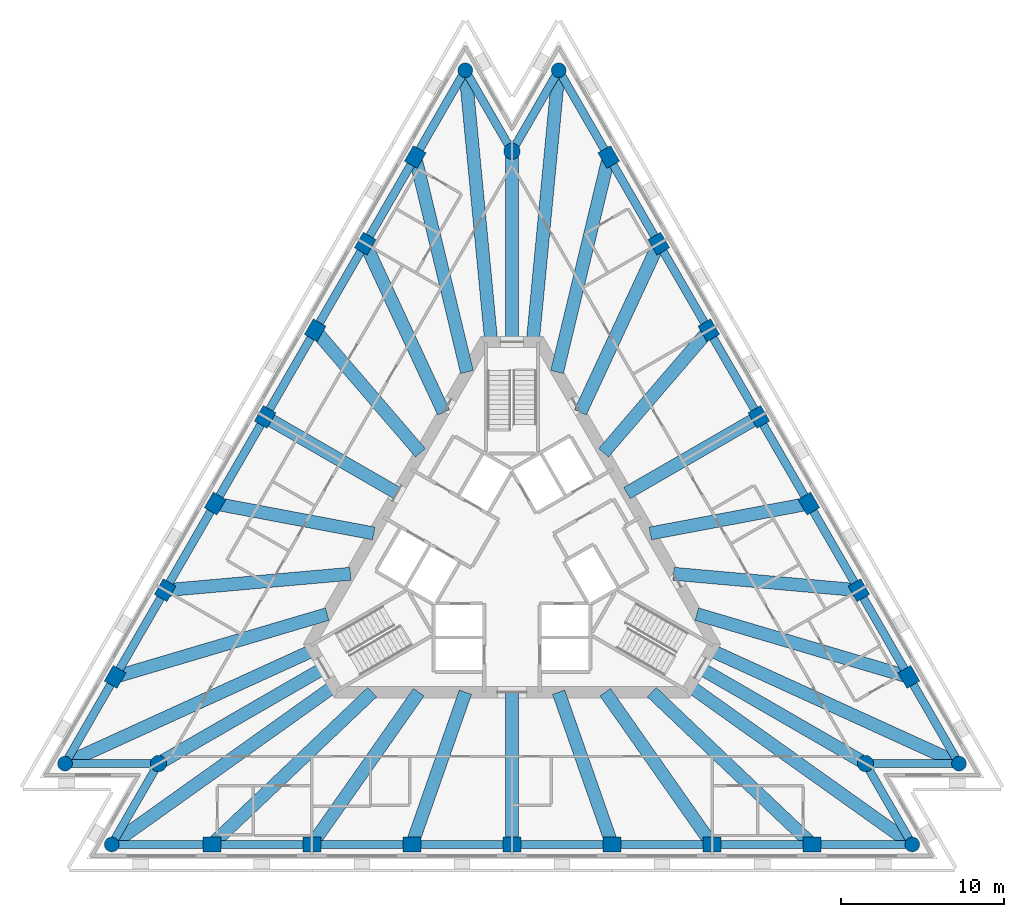
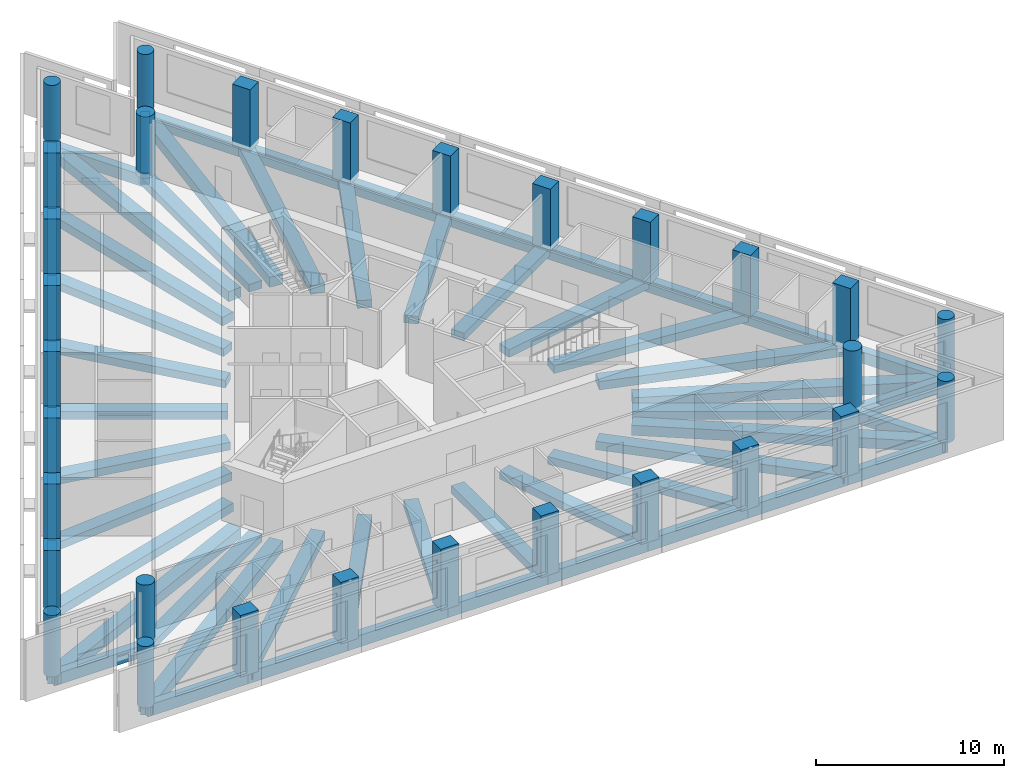
# One storey, part 1 of 9: 60 beams, 30 columns.
"""IFC4 building model written with IfcOpenShell, lengths in metres."""

from ifc_helpers import new_model, si_unit, direction, frame, origin, origin_2d, place, context, subcontext, project, spatial, rectangle, circle, extrude, material, material_profile, profile_set, type_object, element, save


model = new_model("IFC4")

# Units and contexts
model_context = context("Model", 3, precision=1e-05, world=origin(), true_north=direction((0.0, 1.0)))
body_context = subcontext(model_context, "Body", "Model", "MODEL_VIEW")
ifc_project = project(units=[si_unit("LENGTHUNIT", "METRE"), si_unit("AREAUNIT", "SQUARE_METRE"), si_unit("VOLUMEUNIT", "CUBIC_METRE"), si_unit("PLANEANGLEUNIT", "RADIAN"), si_unit("MASSUNIT", "GRAM", prefix="KILO")], contexts=[model_context])

# Site, building, storey
site_placement = place(None, origin())
site = spatial("IfcSite", under=ifc_project, at=site_placement, CompositionType="ELEMENT")
building_placement = place(site_placement, origin())
building = spatial("IfcBuilding", under=site, at=building_placement, Name="Triada Interchange Tower", CompositionType="ELEMENT")
storey_placement = place(building_placement, frame((0.0, 0.0, 207.300048828125)))
storey = spatial("IfcBuildingStorey", under=building, at=storey_placement, Name="L48", CompositionType="ELEMENT", Elevation=207.300048828125)

# Columns
ifc_material = material(Name="Concrete C50/60", Category="concrete")
ifc_material_profile_1 = material_profile(ifc_material, rectangle(XDim=1.10009765625, YDim=0.89990234375, at=origin_2d()), Name="RC 1100x900")
ifc_profile_set_1 = profile_set([ifc_material_profile_1], Name="Concrete C50/60")
column_type_1 = type_object("IfcColumnType", Name="Column C face RC 1100x900", PredefinedType="COLUMN", material=ifc_profile_set_1)
for number, where, z_axis, x_axis, name in (
    (1, (-5.94091796875, 24.714111328125, -0.300048828125), (0.0, 0.0, 1.0), (0.5, 0.866025403784, 0.0), "Column CC02 L48"),
    (2, (-9.012939453125, 19.39306640625, -0.300048828125), (0.0, 0.0, 1.0), (0.5, 0.866025403784, 0.0), "Column CC03 L48"),
    (3, (-12.0849609375, 14.072021484375, -0.300048828125), (0.0, 0.0, 1.0), (0.5, 0.866025403784, 0.0), "Column CC04 L48"),
    (4, (-15.157958984375, 8.7509765625, -0.300048828125), (0.0, 0.0, 1.0), (0.5, 0.866025403784, 0.0), "Column CC05 L48"),
    (5, (-18.22998046875, 3.429931640625, -0.300048828125), (0.0, 0.0, 1.0), (0.5, 0.866025403784, 0.0), "Column CC06 L48"),
    (6, (-21.302001953125, -1.89111328125, -0.300048828125), (0.0, 0.0, 1.0), (0.5, 0.866025403784, 0.0), "Column CC07 L48"),
    (7, (-24.3740234375, -7.2119140625, -0.300048828125), (0.0, 0.0, 1.0), (0.5, 0.866025403784, 0.0), "Column CC08 L48"),
    (8, (-18.43310546875, -17.501953125, -0.300048828125), (0.0, 0.0, 1.0), (1.0, 0.0, 0.0), "Column CC11 L48"),
    (9, (-12.2880859375, -17.501953125, -0.300048828125), (0.0, 0.0, 1.0), (1.0, 0.0, 0.0), "Column CC12 L48"),
    (10, (-6.14404296875, -17.501953125, -0.300048828125), (0.0, 0.0, 1.0), (1.0, 0.0, 0.0), "Column CC13 L48"),
    (11, (0.0, -17.501953125, -0.300048828125), (0.0, 0.0, 1.0), (1.0, 0.0, 0.0), "Column CC14 L48"),
    (12, (6.14404296875, -17.501953125, -0.300048828125), (0.0, 0.0, 1.0), (1.0, 0.0, 0.0), "Column CC15 L48"),
    (13, (12.2890625, -17.501953125, -0.300048828125), (0.0, 0.0, 1.0), (1.0, 0.0, 0.0), "Column CC16 L48"),
    (14, (18.43310546875, -17.501953125, -0.300048828125), (0.0, 0.0, 1.0), (1.0, 0.0, 0.0), "Column CC17 L48"),
    (15, (24.3740234375, -7.2119140625, -0.300048828125), (0.0, 0.0, 1.0), (-0.5, 0.866025403784, 0.0), "Column CC20 L48"),
    (16, (21.302001953125, -1.89111328125, -0.300048828125), (0.0, 0.0, 1.0), (-0.5, 0.866025403784, 0.0), "Column CC21 L48"),
    (17, (18.22998046875, 3.429931640625, -0.300048828125), (0.0, 0.0, 1.0), (-0.5, 0.866025403784, 0.0), "Column CC22 L48"),
    (18, (15.157958984375, 8.7509765625, -0.300048828125), (0.0, 0.0, 1.0), (-0.5, 0.866025403784, 0.0), "Column CC23 L48"),
    (19, (12.0849609375, 14.072021484375, -0.300048828125), (0.0, 0.0, 1.0), (-0.5, 0.866025403784, 0.0), "Column CC24 L48"),
    (20, (9.012939453125, 19.39306640625, -0.300048828125), (0.0, 0.0, 1.0), (-0.5, 0.866025403784, 0.0), "Column CC25 L48"),
    (21, (5.94091796875, 24.714111328125, -0.300048828125), (0.0, 0.0, 1.0), (-0.5, 0.866025403784, 0.0), "Column CC26 L48"),
):
    element("IfcColumn", number, at=place(storey_placement, frame(where, z_axis=z_axis, x_axis=x_axis)), inside=storey, type_object=column_type_1, Name=name, PredefinedType="COLUMN", context=body_context, shape_type="SweptSolid", body=[
        extrude(rectangle(XDim=1.10009765625, YDim=0.89990234375, at=origin_2d()), origin(), (0.0, 0.0, 1.0), 4.0),
    ])
ifc_material_profile_2 = material_profile(ifc_material, circle(Radius=0.449951171875, at=origin_2d()), Name="RC D900")
ifc_profile_set_2 = profile_set([ifc_material_profile_2], Name="Concrete C50/60")
column_type_2 = type_object("IfcColumnType", Name="End column C RC D900", PredefinedType="COLUMN", material=ifc_profile_set_2)
for number, where, z_axis, x_axis, name in (
    (22, (-2.868896484375, 30.034912109375, -0.300048828125), (0.0, 0.0, 1.0), (0.5, 0.866025403784, 0.0), "Column CC01 L48"),
    (23, (-27.446044921875, -12.532958984375, -0.300048828125), (0.0, 0.0, 1.0), (0.5, 0.866025403784, 0.0), "Column CC09 L48"),
    (24, (-24.576904296875, -17.501953125, -0.300048828125), (0.0, 0.0, 1.0), (1.0, 0.0, 0.0), "Column CC10 L48"),
    (25, (24.576904296875, -17.501953125, -0.300048828125), (0.0, 0.0, 1.0), (1.0, 0.0, 0.0), "Column CC18 L48"),
    (26, (27.446044921875, -12.532958984375, -0.300048828125), (0.0, 0.0, 1.0), (-0.5, 0.866025403784, 0.0), "Column CC19 L48"),
    (27, (2.868896484375, 30.034912109375, -0.300048828125), (0.0, 0.0, 1.0), (-0.5, 0.866025403784, 0.0), "Column CC27 L48"),
):
    element("IfcColumn", number, at=place(storey_placement, frame(where, z_axis=z_axis, x_axis=x_axis)), inside=storey, type_object=column_type_2, Name=name, PredefinedType="COLUMN", context=body_context, shape_type="SweptSolid", body=[
        extrude(circle(Radius=0.449951171875, at=origin_2d()), origin(), (0.0, 0.0, 1.0), 4.0),
    ])
ifc_material_profile_3 = material_profile(ifc_material, circle(Radius=0.5, at=origin_2d()), Name="RC D1000")
ifc_profile_set_3 = profile_set([ifc_material_profile_3], Name="Concrete C50/60")
column_type_3 = type_object("IfcColumnType", Name="Mega column C RC D1000", PredefinedType="COLUMN", material=ifc_profile_set_3)
for number, where, z_axis, x_axis, name in (
    (28, (0.0, 25.06689453125, -0.300048828125), (0.0, 0.0, 1.0), (1.0, 0.0, 0.0), "Column MC1 L48"),
    (29, (-21.7080078125, -12.532958984375, -0.300048828125), (0.0, 0.0, 1.0), (1.0, 0.0, 0.0), "Column MC2 L48"),
    (30, (21.7080078125, -12.532958984375, -0.300048828125), (0.0, 0.0, 1.0), (1.0, 0.0, 0.0), "Column MC3 L48"),
):
    element("IfcColumn", number, at=place(storey_placement, frame(where, z_axis=z_axis, x_axis=x_axis)), inside=storey, type_object=column_type_3, Name=name, PredefinedType="COLUMN", context=body_context, shape_type="SweptSolid", body=[
        extrude(circle(Radius=0.5, at=origin_2d()), origin(), (0.0, 0.0, 1.0), 4.0),
    ])

# Beams
ifc_material_profile_4 = material_profile(ifc_material, rectangle(XDim=0.800048828125, YDim=0.5, at=origin_2d()), Name="RC 800x500")
ifc_profile_set_4 = profile_set([ifc_material_profile_4], Name="Concrete C50/60")
beam_type_1 = type_object("IfcBeamType", Name="Radial band beam C RC 800x500", PredefinedType="BEAM", material=ifc_profile_set_4)
beam_1_placement = place(storey_placement, frame((-9.012939453125, 19.39306640625, -0.550048828125), z_axis=(0.421435804437, -0.906858237399, 0.0), x_axis=(0.906858237399, 0.421435804437, 0.0)))
element("IfcBeam", 31, at=beam_1_placement, inside=storey, type_object=beam_type_1, Name="Radial band beam BC03 L48", PredefinedType="BEAM", context=body_context, shape_type="SweptSolid", body=[
    extrude(rectangle(XDim=0.800048828125, YDim=0.5, at=origin_2d()), origin(), (0.0, 0.0, 1.0), 11.427490234375),
])
beam_2_placement = place(storey_placement, frame((-12.0849609375, 14.072021484375, -0.550048828125), z_axis=(0.651553753788, -0.758602468969, 0.0), x_axis=(0.758602468969, 0.651553753788, 0.0)))
element("IfcBeam", 32, at=beam_2_placement, inside=storey, type_object=beam_type_1, Name="Radial band beam BC04 L48", PredefinedType="BEAM", context=body_context, shape_type="SweptSolid", body=[
    extrude(rectangle(XDim=0.800048828125, YDim=0.5, at=origin_2d()), origin(), (0.0, 0.0, 1.0), 9.91162109375),
])
beam_3_placement = place(storey_placement, frame((-15.157958984375, 8.7509765625, -0.550048828125), z_axis=(0.866045182482, -0.499965740726, 0.0), x_axis=(0.499965740726, 0.866045182482, 0.0)))
element("IfcBeam", 33, at=beam_3_placement, inside=storey, type_object=beam_type_1, Name="Radial band beam BC05 L48", PredefinedType="BEAM", context=body_context, shape_type="SweptSolid", body=[
    extrude(rectangle(XDim=0.800048828125, YDim=0.5, at=origin_2d()), origin(), (0.0, 0.0, 1.0), 9.352783203125),
])
beam_4_placement = place(storey_placement, frame((-18.22998046875, 3.429931640625, -0.550048828125), z_axis=(0.982751797305, -0.184929459239, 0.0), x_axis=(0.184929459239, 0.982751797305, 0.0)))
element("IfcBeam", 34, at=beam_4_placement, inside=storey, type_object=beam_type_1, Name="Radial band beam BC06 L48", PredefinedType="BEAM", context=body_context, shape_type="SweptSolid", body=[
    extrude(rectangle(XDim=0.800048828125, YDim=0.5, at=origin_2d()), origin(), (0.0, 0.0, 1.0), 9.911865234375),
])
beam_5_placement = place(storey_placement, frame((-21.302001953125, -1.89111328125, -0.550048828125), z_axis=(0.996086654395, 0.088381994407, 0.0), x_axis=(-0.088381994407, 0.996086654395, 0.0)))
element("IfcBeam", 35, at=beam_5_placement, inside=storey, type_object=beam_type_1, Name="Radial band beam BC07 L48", PredefinedType="BEAM", context=body_context, shape_type="SweptSolid", body=[
    extrude(rectangle(XDim=0.800048828125, YDim=0.5, at=origin_2d()), origin(), (0.0, 0.0, 1.0), 11.427734375),
])
beam_6_placement = place(storey_placement, frame((-21.7080078125, -12.532958984375, -0.550048828125), z_axis=(0.866021094919, 0.500007463099, 0.0), x_axis=(-0.500007463099, 0.866021094919, 0.0)))
element("IfcBeam", 36, at=beam_6_placement, inside=storey, type_object=beam_type_1, Name="Radial band beam BC10 L48", PredefinedType="BEAM", context=body_context, shape_type="SweptSolid", body=[
    extrude(rectangle(XDim=0.800048828125, YDim=0.5, at=origin_2d()), origin(), (0.0, 0.0, 1.0), 11.715576171875),
])
beam_7_placement = place(storey_placement, frame((-12.2880859375, -17.501953125, -0.550048828125), z_axis=(0.574620373641, 0.818420079297, 0.0), x_axis=(-0.818420079297, 0.574620373641, 0.0)))
element("IfcBeam", 37, at=beam_7_placement, inside=storey, type_object=beam_type_1, Name="Radial band beam BC13 L48", PredefinedType="BEAM", context=body_context, shape_type="SweptSolid", body=[
    extrude(rectangle(XDim=0.800048828125, YDim=0.5, at=origin_2d()), origin(), (0.0, 0.0, 1.0), 11.427001953125),
])
beam_8_placement = place(storey_placement, frame((-6.14404296875, -17.501953125, -0.550048828125), z_axis=(0.331225841465, 0.94355150466, 0.0), x_axis=(-0.94355150466, 0.331225841465, 0.0)))
element("IfcBeam", 38, at=beam_8_placement, inside=storey, type_object=beam_type_1, Name="Radial band beam BC14 L48", PredefinedType="BEAM", context=body_context, shape_type="SweptSolid", body=[
    extrude(rectangle(XDim=0.800048828125, YDim=0.5, at=origin_2d()), origin(), (0.0, 0.0, 1.0), 9.91162109375),
])
beam_9_placement = place(storey_placement, frame((0.0, -17.501953125, -0.550048828125), z_axis=(0.0, 1.0, 0.0), x_axis=(-1.0, 0.0, 0.0)))
element("IfcBeam", 39, at=beam_9_placement, inside=storey, type_object=beam_type_1, Name="Radial band beam BC15 L48", PredefinedType="BEAM", context=body_context, shape_type="SweptSolid", body=[
    extrude(rectangle(XDim=0.800048828125, YDim=0.5, at=origin_2d()), origin(), (0.0, 0.0, 1.0), 9.35205078125),
])
beam_10_placement = place(storey_placement, frame((6.14404296875, -17.501953125, -0.550048828125), z_axis=(-0.331225841465, 0.94355150466, 0.0), x_axis=(-0.94355150466, -0.331225841465, 0.0)))
element("IfcBeam", 40, at=beam_10_placement, inside=storey, type_object=beam_type_1, Name="Radial band beam BC16 L48", PredefinedType="BEAM", context=body_context, shape_type="SweptSolid", body=[
    extrude(rectangle(XDim=0.800048828125, YDim=0.5, at=origin_2d()), origin(), (0.0, 0.0, 1.0), 9.91162109375),
])
beam_11_placement = place(storey_placement, frame((12.2890625, -17.501953125, -0.550048828125), z_axis=(-0.574620373641, 0.818420079297, 0.0), x_axis=(-0.818420079297, -0.574620373641, 0.0)))
element("IfcBeam", 41, at=beam_11_placement, inside=storey, type_object=beam_type_1, Name="Radial band beam BC17 L48", PredefinedType="BEAM", context=body_context, shape_type="SweptSolid", body=[
    extrude(rectangle(XDim=0.800048828125, YDim=0.5, at=origin_2d()), origin(), (0.0, 0.0, 1.0), 11.427001953125),
])
beam_12_placement = place(storey_placement, frame((21.7080078125, -12.532958984375, -0.550048828125), z_axis=(-0.866021094919, 0.500007463099, 0.0), x_axis=(-0.500007463099, -0.866021094919, 0.0)))
element("IfcBeam", 42, at=beam_12_placement, inside=storey, type_object=beam_type_1, Name="Radial band beam BC20 L48", PredefinedType="BEAM", context=body_context, shape_type="SweptSolid", body=[
    extrude(rectangle(XDim=0.800048828125, YDim=0.5, at=origin_2d()), origin(), (0.0, 0.0, 1.0), 11.715576171875),
])
beam_13_placement = place(storey_placement, frame((21.302001953125, -1.89111328125, -0.550048828125), z_axis=(-0.996086654395, 0.088381994407, 0.0), x_axis=(-0.088381994407, -0.996086654395, 0.0)))
element("IfcBeam", 43, at=beam_13_placement, inside=storey, type_object=beam_type_1, Name="Radial band beam BC23 L48", PredefinedType="BEAM", context=body_context, shape_type="SweptSolid", body=[
    extrude(rectangle(XDim=0.800048828125, YDim=0.5, at=origin_2d()), origin(), (0.0, 0.0, 1.0), 11.427734375),
])
beam_14_placement = place(storey_placement, frame((18.22998046875, 3.429931640625, -0.550048828125), z_axis=(-0.982751797305, -0.184929459239, 0.0), x_axis=(0.184929459239, -0.982751797305, 0.0)))
element("IfcBeam", 44, at=beam_14_placement, inside=storey, type_object=beam_type_1, Name="Radial band beam BC24 L48", PredefinedType="BEAM", context=body_context, shape_type="SweptSolid", body=[
    extrude(rectangle(XDim=0.800048828125, YDim=0.5, at=origin_2d()), origin(), (0.0, 0.0, 1.0), 9.911865234375),
])
beam_15_placement = place(storey_placement, frame((15.157958984375, 8.7509765625, -0.550048828125), z_axis=(-0.866045182482, -0.499965740726, 0.0), x_axis=(0.499965740726, -0.866045182482, 0.0)))
element("IfcBeam", 45, at=beam_15_placement, inside=storey, type_object=beam_type_1, Name="Radial band beam BC25 L48", PredefinedType="BEAM", context=body_context, shape_type="SweptSolid", body=[
    extrude(rectangle(XDim=0.800048828125, YDim=0.5, at=origin_2d()), origin(), (0.0, 0.0, 1.0), 9.352783203125),
])
beam_16_placement = place(storey_placement, frame((12.0849609375, 14.072021484375, -0.550048828125), z_axis=(-0.651553753788, -0.758602468969, 0.0), x_axis=(0.758602468969, -0.651553753788, 0.0)))
element("IfcBeam", 46, at=beam_16_placement, inside=storey, type_object=beam_type_1, Name="Radial band beam BC26 L48", PredefinedType="BEAM", context=body_context, shape_type="SweptSolid", body=[
    extrude(rectangle(XDim=0.800048828125, YDim=0.5, at=origin_2d()), origin(), (0.0, 0.0, 1.0), 9.91162109375),
])
beam_17_placement = place(storey_placement, frame((9.012939453125, 19.39306640625, -0.550048828125), z_axis=(-0.421435804437, -0.906858237399, 0.0), x_axis=(0.906858237399, -0.421435804437, 0.0)))
element("IfcBeam", 47, at=beam_17_placement, inside=storey, type_object=beam_type_1, Name="Radial band beam BC27 L48", PredefinedType="BEAM", context=body_context, shape_type="SweptSolid", body=[
    extrude(rectangle(XDim=0.800048828125, YDim=0.5, at=origin_2d()), origin(), (0.0, 0.0, 1.0), 11.427490234375),
])
beam_18_placement = place(storey_placement, frame((0.0, 25.06689453125, -0.550048828125), z_axis=(0.0, -1.0, 0.0), x_axis=(1.0, 0.0, 0.0)))
element("IfcBeam", 48, at=beam_18_placement, inside=storey, type_object=beam_type_1, Name="Radial band beam BC30 L48", PredefinedType="BEAM", context=body_context, shape_type="SweptSolid", body=[
    extrude(rectangle(XDim=0.800048828125, YDim=0.5, at=origin_2d()), origin(), (0.0, 0.0, 1.0), 11.716796875),
])
ifc_material_profile_5 = material_profile(ifc_material, rectangle(XDim=0.800048828125, YDim=0.550048828125, at=origin_2d()), Name="RC 800x550")
ifc_profile_set_5 = profile_set([ifc_material_profile_5], Name="Concrete C50/60")
beam_type_2 = type_object("IfcBeamType", Name="Radial band beam C RC 800x550", PredefinedType="BEAM", material=ifc_profile_set_5)
for number, where, z_axis, x_axis, name in (
    (49, (-5.94091796875, 24.714111328125, -0.574951171875), (0.233745486044, -0.972297818446, 0.0), (0.972297818446, 0.233745486044, 0.0), "Radial band beam BC02 L48"),
    (50, (-24.3740234375, -7.2119140625, -0.574951171875), (0.958897064594, 0.283754153295, 0.0), (-0.283754153295, 0.958897064594, 0.0), "Radial band beam BC08 L48"),
):
    element("IfcBeam", number, at=place(storey_placement, frame(where, z_axis=z_axis, x_axis=x_axis)), inside=storey, type_object=beam_type_2, Name=name, PredefinedType="BEAM", context=body_context, shape_type="SweptSolid", body=[
        extrude(rectangle(XDim=0.800048828125, YDim=0.550048828125, at=origin_2d()), origin(), (0.0, 0.0, 1.0), 13.582275390625),
    ])
for number, where, z_axis, x_axis, name in (
    (51, (-18.43310546875, -17.501953125, -0.574951171875), (0.725169057196, 0.688570866713, 0.0), (-0.688570866713, 0.725169057196, 0.0), "Radial band beam BC12 L48"),
    (52, (18.43310546875, -17.501953125, -0.574951171875), (-0.725169057196, 0.688570866713, 0.0), (-0.688570866713, -0.725169057196, 0.0), "Radial band beam BC18 L48"),
):
    element("IfcBeam", number, at=place(storey_placement, frame(where, z_axis=z_axis, x_axis=x_axis)), inside=storey, type_object=beam_type_2, Name=name, PredefinedType="BEAM", context=body_context, shape_type="SweptSolid", body=[
        extrude(rectangle(XDim=0.800048828125, YDim=0.550048828125, at=origin_2d()), origin(), (0.0, 0.0, 1.0), 13.581787109375),
    ])
for number, where, z_axis, x_axis, name in (
    (53, (24.3740234375, -7.2119140625, -0.574951171875), (-0.958897064594, 0.283754153295, 0.0), (-0.283754153295, -0.958897064594, 0.0), "Radial band beam BC22 L48"),
    (54, (5.94091796875, 24.714111328125, -0.574951171875), (-0.233745486044, -0.972297818446, 0.0), (0.972297818446, -0.233745486044, 0.0), "Radial band beam BC28 L48"),
):
    element("IfcBeam", number, at=place(storey_placement, frame(where, z_axis=z_axis, x_axis=x_axis)), inside=storey, type_object=beam_type_2, Name=name, PredefinedType="BEAM", context=body_context, shape_type="SweptSolid", body=[
        extrude(rectangle(XDim=0.800048828125, YDim=0.550048828125, at=origin_2d()), origin(), (0.0, 0.0, 1.0), 13.582275390625),
    ])
ifc_material_profile_6 = material_profile(ifc_material, rectangle(XDim=0.800048828125, YDim=0.64990234375, at=origin_2d()), Name="RC 800x650")
ifc_profile_set_6 = profile_set([ifc_material_profile_6], Name="Concrete C50/60")
beam_type_3 = type_object("IfcBeamType", Name="Radial band beam C RC 800x650", PredefinedType="BEAM", material=ifc_profile_set_6)
beam_19_placement = place(storey_placement, frame((-2.868896484375, 30.034912109375, -0.625), z_axis=(0.095102605267, -0.995467475346, 0.0), x_axis=(0.995467475346, 0.095102605267, 0.0)))
element("IfcBeam", 55, at=beam_19_placement, inside=storey, type_object=beam_type_3, Name="Radial band beam BC01 L48", PredefinedType="BEAM", context=body_context, shape_type="SweptSolid", body=[
    extrude(rectangle(XDim=0.800048828125, YDim=0.64990234375, at=origin_2d()), origin(), (0.0, 0.0, 1.0), 16.7607421875),
])
beam_20_placement = place(storey_placement, frame((-27.446044921875, -12.532958984375, -0.625), z_axis=(0.909658813197, 0.415356285101, 0.0), x_axis=(-0.415356285101, 0.909658813197, 0.0)))
element("IfcBeam", 56, at=beam_20_placement, inside=storey, type_object=beam_type_3, Name="Radial band beam BC09 L48", PredefinedType="BEAM", context=body_context, shape_type="SweptSolid", body=[
    extrude(rectangle(XDim=0.800048828125, YDim=0.64990234375, at=origin_2d()), origin(), (0.0, 0.0, 1.0), 16.76123046875),
])
for number, where, z_axis, x_axis, name in (
    (57, (-24.576904296875, -17.501953125, -0.625), (0.814554450397, 0.580087103234, 0.0), (-0.580087103234, 0.814554450397, 0.0), "Radial band beam BC11 L48"),
    (58, (24.576904296875, -17.501953125, -0.625), (-0.814554450397, 0.580087103234, 0.0), (-0.580087103234, -0.814554450397, 0.0), "Radial band beam BC19 L48"),
):
    element("IfcBeam", number, at=place(storey_placement, frame(where, z_axis=z_axis, x_axis=x_axis)), inside=storey, type_object=beam_type_3, Name=name, PredefinedType="BEAM", context=body_context, shape_type="SweptSolid", body=[
        extrude(rectangle(XDim=0.800048828125, YDim=0.64990234375, at=origin_2d()), origin(), (0.0, 0.0, 1.0), 16.760986328125),
    ])
beam_21_placement = place(storey_placement, frame((27.446044921875, -12.532958984375, -0.625), z_axis=(-0.909658813197, 0.415356285101, 0.0), x_axis=(-0.415356285101, -0.909658813197, 0.0)))
element("IfcBeam", 59, at=beam_21_placement, inside=storey, type_object=beam_type_3, Name="Radial band beam BC21 L48", PredefinedType="BEAM", context=body_context, shape_type="SweptSolid", body=[
    extrude(rectangle(XDim=0.800048828125, YDim=0.64990234375, at=origin_2d()), origin(), (0.0, 0.0, 1.0), 16.76123046875),
])
beam_22_placement = place(storey_placement, frame((2.868896484375, 30.034912109375, -0.625), z_axis=(-0.095102605267, -0.995467475346, 0.0), x_axis=(0.995467475346, -0.095102605267, 0.0)))
element("IfcBeam", 60, at=beam_22_placement, inside=storey, type_object=beam_type_3, Name="Radial band beam BC29 L48", PredefinedType="BEAM", context=body_context, shape_type="SweptSolid", body=[
    extrude(rectangle(XDim=0.800048828125, YDim=0.64990234375, at=origin_2d()), origin(), (0.0, 0.0, 1.0), 16.7607421875),
])
ifc_material_profile_7 = material_profile(ifc_material, rectangle(XDim=0.5, YDim=0.75, at=origin_2d()), Name="RC 500x750")
ifc_profile_set_7 = profile_set([ifc_material_profile_7], Name="Concrete C50/60")
beam_type_4 = type_object("IfcBeamType", Name="Spandrel beam C RC 500x750", PredefinedType="BEAM", material=ifc_profile_set_7)
beam_23_placement = place(storey_placement, frame((-2.868896484375, 30.034912109375, -0.675048828125), z_axis=(-0.500006801911, -0.866021476663, 0.0), x_axis=(0.866021476663, -0.500006801911, 0.0)))
element("IfcBeam", 61, at=beam_23_placement, inside=storey, type_object=beam_type_4, Name="Spandrel beam EC01 L48", PredefinedType="BEAM", context=body_context, shape_type="SweptSolid", body=[
    extrude(rectangle(XDim=0.5, YDim=0.75, at=origin_2d()), origin(), (0.0, 0.0, 1.0), 6.14404296875),
])
for number, where, z_axis, x_axis, name in (
    (62, (-5.94091796875, 24.714111328125, -0.675048828125), (-0.499989595756, -0.866031410594, 0.0), (0.866031410594, -0.499989595756, 0.0), "Spandrel beam EC02 L48"),
    (63, (-9.012939453125, 19.39306640625, -0.675048828125), (-0.499989595756, -0.866031410594, 0.0), (0.866031410594, -0.499989595756, 0.0), "Spandrel beam EC03 L48"),
):
    element("IfcBeam", number, at=place(storey_placement, frame(where, z_axis=z_axis, x_axis=x_axis)), inside=storey, type_object=beam_type_4, Name=name, PredefinedType="BEAM", context=body_context, shape_type="SweptSolid", body=[
        extrude(rectangle(XDim=0.5, YDim=0.75, at=origin_2d()), origin(), (0.0, 0.0, 1.0), 6.144287109375),
    ])
beam_24_placement = place(storey_placement, frame((-12.0849609375, 14.072021484375, -0.675048828125), z_axis=(-0.500108789176, -0.865962585213, 0.0), x_axis=(0.865962585213, -0.500108789176, 0.0)))
element("IfcBeam", 64, at=beam_24_placement, inside=storey, type_object=beam_type_4, Name="Spandrel beam EC04 L48", PredefinedType="BEAM", context=body_context, shape_type="SweptSolid", body=[
    extrude(rectangle(XDim=0.5, YDim=0.75, at=origin_2d()), origin(), (0.0, 0.0, 1.0), 6.144775390625),
])
for number, where, z_axis, x_axis, name in (
    (65, (-15.157958984375, 8.7509765625, -0.675048828125), (-0.499989595756, -0.866031410594, 0.0), (0.866031410594, -0.499989595756, 0.0), "Spandrel beam EC05 L48"),
    (66, (-18.22998046875, 3.429931640625, -0.675048828125), (-0.499989595756, -0.866031410594, 0.0), (0.866031410594, -0.499989595756, 0.0), "Spandrel beam EC06 L48"),
):
    element("IfcBeam", number, at=place(storey_placement, frame(where, z_axis=z_axis, x_axis=x_axis)), inside=storey, type_object=beam_type_4, Name=name, PredefinedType="BEAM", context=body_context, shape_type="SweptSolid", body=[
        extrude(rectangle(XDim=0.5, YDim=0.75, at=origin_2d()), origin(), (0.0, 0.0, 1.0), 6.144287109375),
    ])
beam_25_placement = place(storey_placement, frame((-21.302001953125, -1.89111328125, -0.675048828125), z_axis=(-0.500006801911, -0.866021476663, 0.0), x_axis=(0.866021476663, -0.500006801911, 0.0)))
element("IfcBeam", 67, at=beam_25_placement, inside=storey, type_object=beam_type_4, Name="Spandrel beam EC07 L48", PredefinedType="BEAM", context=body_context, shape_type="SweptSolid", body=[
    extrude(rectangle(XDim=0.5, YDim=0.75, at=origin_2d()), origin(), (0.0, 0.0, 1.0), 6.14404296875),
])
beam_26_placement = place(storey_placement, frame((-24.3740234375, -7.2119140625, -0.675048828125), z_axis=(-0.499989595756, -0.866031410594, 0.0), x_axis=(0.866031410594, -0.499989595756, 0.0)))
element("IfcBeam", 68, at=beam_26_placement, inside=storey, type_object=beam_type_4, Name="Spandrel beam EC08 L48", PredefinedType="BEAM", context=body_context, shape_type="SweptSolid", body=[
    extrude(rectangle(XDim=0.5, YDim=0.75, at=origin_2d()), origin(), (0.0, 0.0, 1.0), 6.144287109375),
])
beam_27_placement = place(storey_placement, frame((-27.446044921875, -12.532958984375, -0.675048828125), z_axis=(1.0, 0.0, 0.0), x_axis=(0.0, 1.0, 0.0)))
element("IfcBeam", 69, at=beam_27_placement, inside=storey, type_object=beam_type_4, Name="Spandrel beam EC09 L48", PredefinedType="BEAM", context=body_context, shape_type="SweptSolid", body=[
    extrude(rectangle(XDim=0.5, YDim=0.75, at=origin_2d()), origin(), (0.0, 0.0, 1.0), 5.738037109375),
])
beam_28_placement = place(storey_placement, frame((-21.7080078125, -12.532958984375, -0.675048828125), z_axis=(-0.500006062455, -0.866021903596, 0.0), x_axis=(0.866021903596, -0.500006062455, 0.0)))
element("IfcBeam", 70, at=beam_28_placement, inside=storey, type_object=beam_type_4, Name="Spandrel beam EC10 L48", PredefinedType="BEAM", context=body_context, shape_type="SweptSolid", body=[
    extrude(rectangle(XDim=0.5, YDim=0.75, at=origin_2d()), origin(), (0.0, 0.0, 1.0), 5.73779296875),
])
beam_29_placement = place(storey_placement, frame((-24.576904296875, -17.501953125, -0.675048828125), z_axis=(1.0, 0.0, 0.0), x_axis=(0.0, 1.0, 0.0)))
element("IfcBeam", 71, at=beam_29_placement, inside=storey, type_object=beam_type_4, Name="Spandrel beam EC11 L48", PredefinedType="BEAM", context=body_context, shape_type="SweptSolid", body=[
    extrude(rectangle(XDim=0.5, YDim=0.75, at=origin_2d()), origin(), (0.0, 0.0, 1.0), 6.143798828125),
])
beam_30_placement = place(storey_placement, frame((-18.43310546875, -17.501953125, -0.675048828125), z_axis=(1.0, 0.0, 0.0), x_axis=(0.0, 1.0, 0.0)))
element("IfcBeam", 72, at=beam_30_placement, inside=storey, type_object=beam_type_4, Name="Spandrel beam EC12 L48", PredefinedType="BEAM", context=body_context, shape_type="SweptSolid", body=[
    extrude(rectangle(XDim=0.5, YDim=0.75, at=origin_2d()), origin(), (0.0, 0.0, 1.0), 6.14501953125),
])
for number, where, z_axis, x_axis, name in (
    (73, (-12.2880859375, -17.501953125, -0.675048828125), (1.0, 0.0, 0.0), (0.0, 1.0, 0.0), "Spandrel beam EC13 L48"),
    (74, (-6.14404296875, -17.501953125, -0.675048828125), (1.0, 0.0, 0.0), (0.0, 1.0, 0.0), "Spandrel beam EC14 L48"),
    (75, (0.0, -17.501953125, -0.675048828125), (1.0, 0.0, 0.0), (0.0, 1.0, 0.0), "Spandrel beam EC15 L48"),
):
    element("IfcBeam", number, at=place(storey_placement, frame(where, z_axis=z_axis, x_axis=x_axis)), inside=storey, type_object=beam_type_4, Name=name, PredefinedType="BEAM", context=body_context, shape_type="SweptSolid", body=[
        extrude(rectangle(XDim=0.5, YDim=0.75, at=origin_2d()), origin(), (0.0, 0.0, 1.0), 6.14404296875),
    ])
beam_31_placement = place(storey_placement, frame((6.14404296875, -17.501953125, -0.675048828125), z_axis=(1.0, 0.0, 0.0), x_axis=(0.0, 1.0, 0.0)))
element("IfcBeam", 76, at=beam_31_placement, inside=storey, type_object=beam_type_4, Name="Spandrel beam EC16 L48", PredefinedType="BEAM", context=body_context, shape_type="SweptSolid", body=[
    extrude(rectangle(XDim=0.5, YDim=0.75, at=origin_2d()), origin(), (0.0, 0.0, 1.0), 6.14501953125),
])
beam_32_placement = place(storey_placement, frame((12.2890625, -17.501953125, -0.675048828125), z_axis=(1.0, 0.0, 0.0), x_axis=(0.0, 1.0, 0.0)))
element("IfcBeam", 77, at=beam_32_placement, inside=storey, type_object=beam_type_4, Name="Spandrel beam EC17 L48", PredefinedType="BEAM", context=body_context, shape_type="SweptSolid", body=[
    extrude(rectangle(XDim=0.5, YDim=0.75, at=origin_2d()), origin(), (0.0, 0.0, 1.0), 6.14404296875),
])
beam_33_placement = place(storey_placement, frame((18.43310546875, -17.501953125, -0.675048828125), z_axis=(1.0, 0.0, 0.0), x_axis=(0.0, 1.0, 0.0)))
element("IfcBeam", 78, at=beam_33_placement, inside=storey, type_object=beam_type_4, Name="Spandrel beam EC18 L48", PredefinedType="BEAM", context=body_context, shape_type="SweptSolid", body=[
    extrude(rectangle(XDim=0.5, YDim=0.75, at=origin_2d()), origin(), (0.0, 0.0, 1.0), 6.143798828125),
])
beam_34_placement = place(storey_placement, frame((24.576904296875, -17.501953125, -0.675048828125), z_axis=(-0.500006062455, 0.866021903596, 0.0), x_axis=(-0.866021903596, -0.500006062455, 0.0)))
element("IfcBeam", 79, at=beam_34_placement, inside=storey, type_object=beam_type_4, Name="Spandrel beam EC19 L48", PredefinedType="BEAM", context=body_context, shape_type="SweptSolid", body=[
    extrude(rectangle(XDim=0.5, YDim=0.75, at=origin_2d()), origin(), (0.0, 0.0, 1.0), 5.73779296875),
])
beam_35_placement = place(storey_placement, frame((21.7080078125, -12.532958984375, -0.675048828125), z_axis=(1.0, 0.0, 0.0), x_axis=(0.0, 1.0, 0.0)))
element("IfcBeam", 80, at=beam_35_placement, inside=storey, type_object=beam_type_4, Name="Spandrel beam EC20 L48", PredefinedType="BEAM", context=body_context, shape_type="SweptSolid", body=[
    extrude(rectangle(XDim=0.5, YDim=0.75, at=origin_2d()), origin(), (0.0, 0.0, 1.0), 5.738037109375),
])
beam_36_placement = place(storey_placement, frame((27.446044921875, -12.532958984375, -0.675048828125), z_axis=(-0.499989595756, 0.866031410594, 0.0), x_axis=(-0.866031410594, -0.499989595756, 0.0)))
element("IfcBeam", 81, at=beam_36_placement, inside=storey, type_object=beam_type_4, Name="Spandrel beam EC21 L48", PredefinedType="BEAM", context=body_context, shape_type="SweptSolid", body=[
    extrude(rectangle(XDim=0.5, YDim=0.75, at=origin_2d()), origin(), (0.0, 0.0, 1.0), 6.144287109375),
])
beam_37_placement = place(storey_placement, frame((24.3740234375, -7.2119140625, -0.675048828125), z_axis=(-0.500006801911, 0.866021476663, 0.0), x_axis=(-0.866021476663, -0.500006801911, 0.0)))
element("IfcBeam", 82, at=beam_37_placement, inside=storey, type_object=beam_type_4, Name="Spandrel beam EC22 L48", PredefinedType="BEAM", context=body_context, shape_type="SweptSolid", body=[
    extrude(rectangle(XDim=0.5, YDim=0.75, at=origin_2d()), origin(), (0.0, 0.0, 1.0), 6.14404296875),
])
for number, where, z_axis, x_axis, name in (
    (83, (21.302001953125, -1.89111328125, -0.675048828125), (-0.499989595756, 0.866031410594, 0.0), (-0.866031410594, -0.499989595756, 0.0), "Spandrel beam EC23 L48"),
    (84, (18.22998046875, 3.429931640625, -0.675048828125), (-0.499989595756, 0.866031410594, 0.0), (-0.866031410594, -0.499989595756, 0.0), "Spandrel beam EC24 L48"),
):
    element("IfcBeam", number, at=place(storey_placement, frame(where, z_axis=z_axis, x_axis=x_axis)), inside=storey, type_object=beam_type_4, Name=name, PredefinedType="BEAM", context=body_context, shape_type="SweptSolid", body=[
        extrude(rectangle(XDim=0.5, YDim=0.75, at=origin_2d()), origin(), (0.0, 0.0, 1.0), 6.144287109375),
    ])
beam_38_placement = place(storey_placement, frame((15.157958984375, 8.7509765625, -0.675048828125), z_axis=(-0.500108789176, 0.865962585213, 0.0), x_axis=(-0.865962585213, -0.500108789176, 0.0)))
element("IfcBeam", 85, at=beam_38_placement, inside=storey, type_object=beam_type_4, Name="Spandrel beam EC25 L48", PredefinedType="BEAM", context=body_context, shape_type="SweptSolid", body=[
    extrude(rectangle(XDim=0.5, YDim=0.75, at=origin_2d()), origin(), (0.0, 0.0, 1.0), 6.144775390625),
])
for number, where, z_axis, x_axis, name in (
    (86, (12.0849609375, 14.072021484375, -0.675048828125), (-0.499989595756, 0.866031410594, 0.0), (-0.866031410594, -0.499989595756, 0.0), "Spandrel beam EC26 L48"),
    (87, (9.012939453125, 19.39306640625, -0.675048828125), (-0.499989595756, 0.866031410594, 0.0), (-0.866031410594, -0.499989595756, 0.0), "Spandrel beam EC27 L48"),
):
    element("IfcBeam", number, at=place(storey_placement, frame(where, z_axis=z_axis, x_axis=x_axis)), inside=storey, type_object=beam_type_4, Name=name, PredefinedType="BEAM", context=body_context, shape_type="SweptSolid", body=[
        extrude(rectangle(XDim=0.5, YDim=0.75, at=origin_2d()), origin(), (0.0, 0.0, 1.0), 6.144287109375),
    ])
beam_39_placement = place(storey_placement, frame((5.94091796875, 24.714111328125, -0.675048828125), z_axis=(-0.500006801911, 0.866021476663, 0.0), x_axis=(-0.866021476663, -0.500006801911, 0.0)))
element("IfcBeam", 88, at=beam_39_placement, inside=storey, type_object=beam_type_4, Name="Spandrel beam EC28 L48", PredefinedType="BEAM", context=body_context, shape_type="SweptSolid", body=[
    extrude(rectangle(XDim=0.5, YDim=0.75, at=origin_2d()), origin(), (0.0, 0.0, 1.0), 6.14404296875),
])
for number, where, z_axis, x_axis, name in (
    (89, (2.868896484375, 30.034912109375, -0.675048828125), (-0.500079771016, -0.865979343068, 0.0), (0.865979343068, -0.500079771016, 0.0), "Spandrel beam EC29 L48"),
    (90, (0.0, 25.06689453125, -0.675048828125), (-0.500079771016, 0.865979343068, 0.0), (-0.865979343068, -0.500079771016, 0.0), "Spandrel beam EC30 L48"),
):
    element("IfcBeam", number, at=place(storey_placement, frame(where, z_axis=z_axis, x_axis=x_axis)), inside=storey, type_object=beam_type_4, Name=name, PredefinedType="BEAM", context=body_context, shape_type="SweptSolid", body=[
        extrude(rectangle(XDim=0.5, YDim=0.75, at=origin_2d()), origin(), (0.0, 0.0, 1.0), 5.73681640625),
    ])

save(model, "model.ifc")
